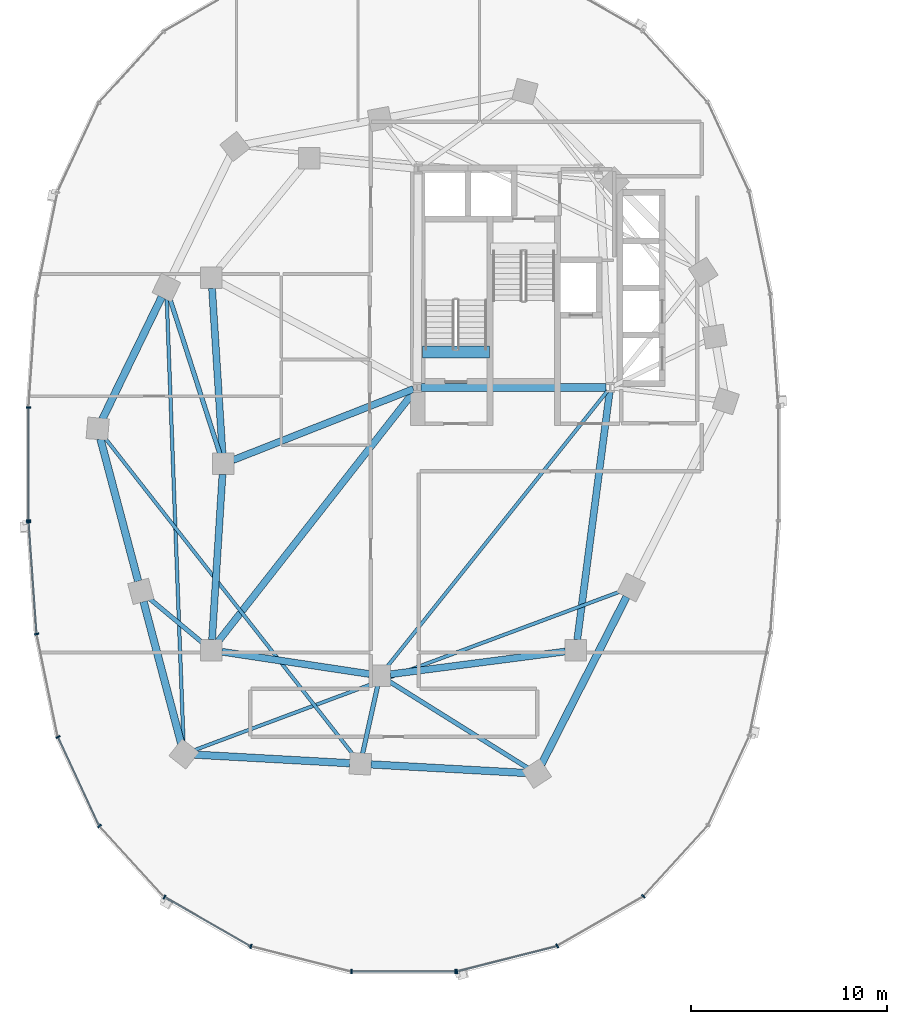
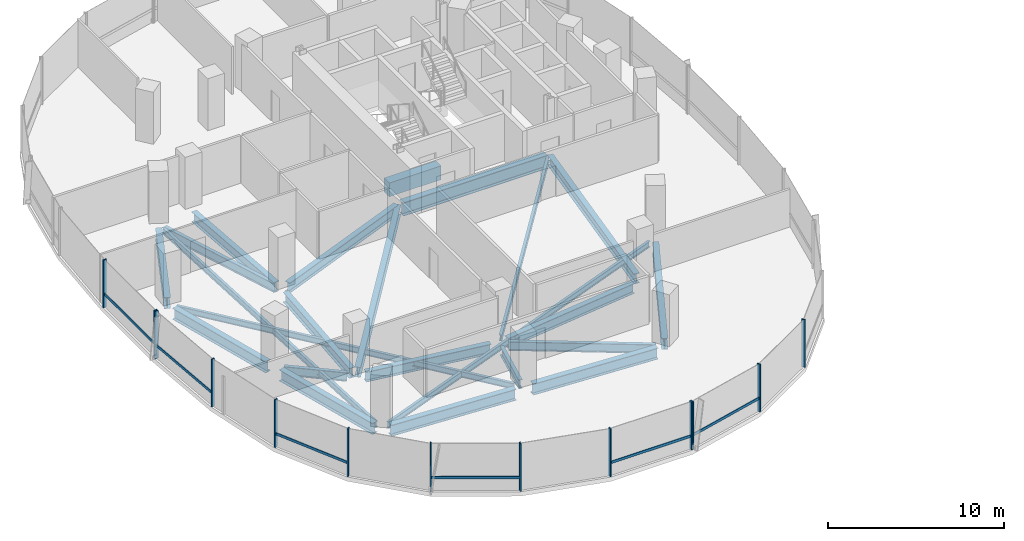
# One storey, part 2 of 21: 23 beams, 19 members, 3 elements without a shape of their own.
"""IFC4 building model written with IfcOpenShell, lengths in metres."""

from ifc_helpers import new_model, si_unit, direction, frame, origin, origin_2d, place, context, subcontext, project, spatial, rectangle, i_section, extrude, material, material_profile, profile_set, type_object, element, aggregate, save


model = new_model("IFC4")

# Units and contexts
model_context = context("Model", 3, precision=1e-05, world=origin(), true_north=direction((0.0, 1.0)))
body_context = subcontext(model_context, "Body", "Model", "MODEL_VIEW")
ifc_project = project(units=[si_unit("LENGTHUNIT", "METRE"), si_unit("AREAUNIT", "SQUARE_METRE"), si_unit("VOLUMEUNIT", "CUBIC_METRE"), si_unit("PLANEANGLEUNIT", "RADIAN"), si_unit("MASSUNIT", "GRAM", prefix="KILO"), si_unit("THERMODYNAMICTEMPERATUREUNIT", "KELVIN"), si_unit("POWERUNIT", "WATT")], contexts=[model_context])

# Site, building, storey
site_placement = place(None, origin())
site = spatial("IfcSite", under=ifc_project, at=site_placement, CompositionType="ELEMENT")
building_placement = place(site_placement, origin())
building = spatial("IfcBuilding", under=site, at=building_placement, Name="Cundina Bronze Exchange", CompositionType="ELEMENT")
storey_placement = place(building_placement, frame((0.0, 0.0, 99.800048828125)))
storey = spatial("IfcBuildingStorey", under=building, at=storey_placement, Name="L25", CompositionType="ELEMENT", Elevation=99.800048828125)

# Beams
ifc_material_1 = material(Name="Concrete C60/75", Category="concrete")
ifc_material_profile_1 = material_profile(ifc_material_1, rectangle(XDim=0.60009765625, YDim=0.949951171875, at=origin_2d()), Name="RC600X950", Category="concrete")
ifc_profile_set_1 = profile_set([ifc_material_profile_1], Name="Concrete C60/75")
beam_type_1 = type_object("IfcBeamType", Name="BM-COUP-RC950", PredefinedType="LINTEL", material=ifc_profile_set_1)
beam_1_placement = place(storey_placement, frame((-31.02001953125, 5.719970703125, -0.47509765625), z_axis=(1.0, 0.0, 0.0), x_axis=(0.0, 1.0, 0.0)))
element("IfcBeam", 1, at=beam_1_placement, inside=storey, type_object=beam_type_1, Name="L25 Stair W1 Landing Header Beam", PredefinedType="LINTEL", context=body_context, shape_type="SweptSolid", body=[
    extrude(rectangle(XDim=0.60009765625, YDim=0.949951171875, at=origin_2d()), origin(), (0.0, 0.0, 1.0), 3.39990234375),
])
ifc_material_2 = material(Name="Steel ASTM A992 Grade 50", Category="steel")
ifc_material_profile_2 = material_profile(ifc_material_2, i_section(OverallWidth=0.22998046875, OverallDepth=0.616943359375, WebThickness=0.01318359375, FlangeThickness=0.022216796875, FilletRadius=0.013916015625, at=origin_2d()), Name="W24X94", Category="steel")
ifc_profile_set_2 = profile_set([ifc_material_profile_2], Name="Steel ASTM A992 Grade 50")
beam_type_2 = type_object("IfcBeamType", Name="BM-FLR-W24B", PredefinedType="BEAM", material=ifc_profile_set_2)
beam_2_placement = place(storey_placement, frame((-41.364990234375, 0.51220703125, -0.608642578125), z_axis=(-0.306710777581, 0.951802762612, 0.0), x_axis=(-0.951802762612, -0.306710777581, 0.0)))
element("IfcBeam", 2, at=beam_2_placement, inside=storey, type_object=beam_type_2, Name="L25 Leg W Radial Floor Beam 07", PredefinedType="BEAM", context=body_context, shape_type="SweptSolid", body=[
    extrude(i_section(OverallWidth=0.22998046875, OverallDepth=0.616943359375, WebThickness=0.01318359375, FlangeThickness=0.022216796875, FilletRadius=0.013916015625, at=origin_2d()), origin(), (0.0, 0.0, 1.0), 8.37939453125),
])
beam_3_placement = place(storey_placement, frame((-42.21337890625, -9.155517578125, -0.608642578125), z_axis=(-0.768243451945, 0.640157791911, 0.0), x_axis=(-0.640157791911, -0.768243451945, 0.0)))
element("IfcBeam", 3, at=beam_3_placement, inside=storey, type_object=beam_type_2, Name="L25 Leg W Radial Floor Beam 09", PredefinedType="BEAM", context=body_context, shape_type="SweptSolid", body=[
    extrude(i_section(OverallWidth=0.22998046875, OverallDepth=0.616943359375, WebThickness=0.01318359375, FlangeThickness=0.022216796875, FilletRadius=0.013916015625, at=origin_2d()), origin(), (0.0, 0.0, 1.0), 3.610107421875),
])
beam_4_placement = place(storey_placement, frame((-33.316650390625, -11.3251953125, -0.608642578125), z_axis=(-0.216930457819, -0.976187060184, 0.0), x_axis=(0.976187060184, -0.216930457819, 0.0)))
element("IfcBeam", 4, at=beam_4_placement, inside=storey, type_object=beam_type_2, Name="L25 Leg W Radial Floor Beam 11", PredefinedType="BEAM", context=body_context, shape_type="SweptSolid", body=[
    extrude(i_section(OverallWidth=0.22998046875, OverallDepth=0.616943359375, WebThickness=0.01318359375, FlangeThickness=0.022216796875, FilletRadius=0.013916015625, at=origin_2d()), origin(), (0.0, 0.0, 1.0), 3.533935546875),
])
beam_5_placement = place(storey_placement, frame((-32.743896484375, -11.085205078125, -0.608642578125), z_axis=(0.848003227047, -0.529991063055, 0.0), x_axis=(0.529991063055, 0.848003227047, 0.0)))
element("IfcBeam", 5, at=beam_5_placement, inside=storey, type_object=beam_type_2, Name="L25 Leg W Radial Floor Beam 12", PredefinedType="BEAM", context=body_context, shape_type="SweptSolid", body=[
    extrude(i_section(OverallWidth=0.22998046875, OverallDepth=0.616943359375, WebThickness=0.01318359375, FlangeThickness=0.022216796875, FilletRadius=0.013916015625, at=origin_2d()), origin(), (0.0, 0.0, 1.0), 8.358154296875),
])
ifc_material_profile_3 = material_profile(ifc_material_2, i_section(OverallWidth=0.178955078125, OverallDepth=0.409912109375, WebThickness=0.0087890625, FlangeThickness=0.014404296875, FilletRadius=0.010986328125, at=origin_2d()), Name="W16X45", Category="steel")
ifc_profile_set_3 = profile_set([ifc_material_profile_3], Name="Steel ASTM A992 Grade 50")
beam_type_3 = type_object("IfcBeamType", Name="BM-JST-W16", PredefinedType="JOIST", material=ifc_profile_set_3)
beam_6_placement = place(storey_placement, frame((-21.577392578125, 3.740478515625, -0.505126953125), z_axis=(-0.62436887964, -0.781129632095, 0.0), x_axis=(0.781129632095, -0.62436887964, 0.0)))
element("IfcBeam", 6, at=beam_6_placement, inside=storey, type_object=beam_type_3, Name="L25 W Interior Core-to-Ring Joist 2", PredefinedType="JOIST", context=body_context, shape_type="SweptSolid", body=[
    extrude(i_section(OverallWidth=0.178955078125, OverallDepth=0.409912109375, WebThickness=0.0087890625, FlangeThickness=0.014404296875, FilletRadius=0.010986328125, at=origin_2d()), origin(), (0.0, 0.0, 1.0), 18.076904296875),
])
beam_7_placement = place(storey_placement, frame((-44.07958984375, 8.46240234375, -0.505126953125), z_axis=(0.03778951385, -0.999285721224, 0.0), x_axis=(0.999285721224, 0.03778951385, 0.0)))
element("IfcBeam", 7, at=beam_7_placement, inside=storey, type_object=beam_type_3, Name="L25 Leg W Lobe Floor Joist 07-10", PredefinedType="JOIST", context=body_context, shape_type="SweptSolid", body=[
    extrude(i_section(OverallWidth=0.178955078125, OverallDepth=0.409912109375, WebThickness=0.0087890625, FlangeThickness=0.014404296875, FilletRadius=0.010986328125, at=origin_2d()), origin(), (0.0, 0.0, 1.0), 22.7412109375),
])
beam_8_placement = place(storey_placement, frame((-47.268310546875, 1.37646484375, -0.505126953125), z_axis=(0.616815348306, -0.787107887201, 0.0), x_axis=(0.787107887201, 0.616815348306, 0.0)))
element("IfcBeam", 8, at=beam_8_placement, inside=storey, type_object=beam_type_3, Name="L25 Leg W Lobe Floor Joist 08-11", PredefinedType="JOIST", context=body_context, shape_type="SweptSolid", body=[
    extrude(i_section(OverallWidth=0.178955078125, OverallDepth=0.409912109375, WebThickness=0.0087890625, FlangeThickness=0.014404296875, FilletRadius=0.010986328125, at=origin_2d()), origin(), (0.0, 0.0, 1.0), 20.64892578125),
])
beam_9_placement = place(storey_placement, frame((-42.69580078125, -14.6123046875, -0.505126953125), z_axis=(0.937127917421, 0.348986054721, 0.0), x_axis=(-0.348986054721, 0.937127917421, 0.0)))
element("IfcBeam", 9, at=beam_9_placement, inside=storey, type_object=beam_type_3, Name="L25 Leg W Lobe Floor Joist 10-13", PredefinedType="JOIST", context=body_context, shape_type="SweptSolid", body=[
    extrude(i_section(OverallWidth=0.178955078125, OverallDepth=0.409912109375, WebThickness=0.0087890625, FlangeThickness=0.014404296875, FilletRadius=0.010986328125, at=origin_2d()), origin(), (0.0, 0.0, 1.0), 23.2802734375),
])
ifc_material_profile_4 = material_profile(ifc_material_2, i_section(OverallWidth=0.35498046875, OverallDepth=0.695068359375, WebThickness=0.015380859375, FlangeThickness=0.02490234375, FilletRadius=0.01806640625, at=origin_2d()), Name="W27X146", Category="steel")
ifc_profile_set_4 = profile_set([ifc_material_profile_4], Name="Steel ASTM A992 Grade 50")
beam_type_4 = type_object("IfcBeamType", Name="BM-RING-W27", PredefinedType="USERDEFINED", material=ifc_profile_set_4)
for number, where, z_axis, x_axis, name in (
    (10, (-41.76611328125, 8.963134765625, -0.6474609375), (0.06303715519, -0.998011180832, 0.0), (0.998011180832, 0.06303715519, 0.0), "L25 W Inner Structural Ring Girder 03"),
    (11, (-41.23388671875, -0.536865234375, -0.6474609375), (-0.06303715519, -0.998011180832, 0.0), (0.998011180832, -0.06303715519, 0.0), "L25 W Inner Structural Ring Girder 04"),
):
    element("IfcBeam", number, at=place(storey_placement, frame(where, z_axis=z_axis, x_axis=x_axis)), inside=storey, type_object=beam_type_4, Name=name, ObjectType="GIRDER", PredefinedType="USERDEFINED", context=body_context, shape_type="SweptSolid", body=[
        extrude(i_section(OverallWidth=0.35498046875, OverallDepth=0.695068359375, WebThickness=0.015380859375, FlangeThickness=0.02490234375, FilletRadius=0.01806640625, at=origin_2d()), origin(), (0.0, 0.0, 1.0), 8.443115234375),
    ])
beam_10_placement = place(storey_placement, frame((-41.26806640625, -9.580322265625, -0.6474609375), z_axis=(0.988767489563, -0.149461873341, 0.0), x_axis=(0.149461873341, 0.988767489563, 0.0)))
element("IfcBeam", 12, at=beam_10_placement, inside=storey, type_object=beam_type_4, Name="L25 W Inner Structural Ring Girder 05", ObjectType="GIRDER", PredefinedType="USERDEFINED", context=body_context, shape_type="SweptSolid", body=[
    extrude(i_section(OverallWidth=0.35498046875, OverallDepth=0.695068359375, WebThickness=0.015380859375, FlangeThickness=0.02490234375, FilletRadius=0.01806640625, at=origin_2d()), origin(), (0.0, 0.0, 1.0), 7.621826171875),
])
beam_11_placement = place(storey_placement, frame((-32.66650390625, -10.730712890625, -0.6474609375), z_axis=(0.991654577907, 0.128923225666, 0.0), x_axis=(-0.128923225666, 0.991654577907, 0.0)))
element("IfcBeam", 13, at=beam_11_placement, inside=storey, type_object=beam_type_4, Name="L25 W Inner Structural Ring Girder 06", ObjectType="GIRDER", PredefinedType="USERDEFINED", context=body_context, shape_type="SweptSolid", body=[
    extrude(i_section(OverallWidth=0.35498046875, OverallDepth=0.695068359375, WebThickness=0.015380859375, FlangeThickness=0.02490234375, FilletRadius=0.01806640625, at=origin_2d()), origin(), (0.0, 0.0, 1.0), 9.00830078125),
])
beam_12_placement = place(storey_placement, frame((-23.13037109375, -8.966552734375, -0.6474609375), z_axis=(0.129507526533, 0.99157843894, 0.0), x_axis=(-0.99157843894, 0.129507526533, 0.0)))
element("IfcBeam", 14, at=beam_12_placement, inside=storey, type_object=beam_type_4, Name="L25 W Inner Structural Ring Girder 07", ObjectType="GIRDER", PredefinedType="USERDEFINED", context=body_context, shape_type="SweptSolid", body=[
    extrude(i_section(OverallWidth=0.35498046875, OverallDepth=0.695068359375, WebThickness=0.015380859375, FlangeThickness=0.02490234375, FilletRadius=0.01806640625, at=origin_2d()), origin(), (0.0, 0.0, 1.0), 12.77197265625),
])
beam_13_placement = place(storey_placement, frame((-31.48974609375, 3.8251953125, -0.6474609375), z_axis=(-0.930413235418, -0.366512225388, 0.0), x_axis=(0.366512225388, -0.930413235418, 0.0)))
element("IfcBeam", 15, at=beam_13_placement, inside=storey, type_object=beam_type_4, Name="L25 W Core-to-Waist Tie Beam 1", ObjectType="GIRDER", PredefinedType="USERDEFINED", context=body_context, shape_type="SweptSolid", body=[
    extrude(i_section(OverallWidth=0.35498046875, OverallDepth=0.695068359375, WebThickness=0.015380859375, FlangeThickness=0.02490234375, FilletRadius=0.01806640625, at=origin_2d()), origin(), (0.0, 0.0, 1.0), 9.8984375),
])
beam_14_placement = place(storey_placement, frame((-31.42578125, 3.739501953125, -0.6474609375), z_axis=(-0.616789275748, -0.787128318206, 0.0), x_axis=(0.787128318206, -0.616789275748, 0.0)))
element("IfcBeam", 16, at=beam_14_placement, inside=storey, type_object=beam_type_4, Name="L25 W Core-to-Waist Tie Beam 3", ObjectType="GIRDER", PredefinedType="USERDEFINED", context=body_context, shape_type="SweptSolid", body=[
    extrude(i_section(OverallWidth=0.35498046875, OverallDepth=0.695068359375, WebThickness=0.015380859375, FlangeThickness=0.02490234375, FilletRadius=0.01806640625, at=origin_2d()), origin(), (0.0, 0.0, 1.0), 16.281982421875),
])
ifc_material_profile_5 = material_profile(ifc_material_2, i_section(OverallWidth=0.381103515625, OverallDepth=0.77294921875, WebThickness=0.0166015625, FlangeThickness=0.027099609375, FilletRadius=0.01904296875, at=origin_2d()), Name="W30X173", Category="steel")
ifc_profile_set_5 = profile_set([ifc_material_profile_5], Name="Steel ASTM A992 Grade 50")
beam_type_5 = type_object("IfcBeamType", Name="BM-RING-W30", PredefinedType="USERDEFINED", material=ifc_profile_set_5)
beam_15_placement = place(storey_placement, frame((-44.335205078125, 8.51611328125, -0.6865234375), z_axis=(-0.437193894283, -0.899367276924, 0.0), x_axis=(0.899367276924, -0.437193894283, 0.0)))
element("IfcBeam", 17, at=beam_15_placement, inside=storey, type_object=beam_type_5, Name="L25 W Perimeter Ring Girder 07", ObjectType="GIRDER", PredefinedType="USERDEFINED", context=body_context, shape_type="SweptSolid", body=[
    extrude(i_section(OverallWidth=0.381103515625, OverallDepth=0.77294921875, WebThickness=0.0166015625, FlangeThickness=0.027099609375, FilletRadius=0.01904296875, at=origin_2d()), origin(), (0.0, 0.0, 1.0), 6.929443359375),
])
for number, where, z_axis, x_axis, name in (
    (18, (-47.462158203125, 1.280029296875, -0.6865234375), (0.256209719931, -0.966621218168, 0.0), (0.966621218168, 0.256209719931, 0.0), "L25 W Perimeter Ring Girder 08"),
    (19, (-45.26220703125, -7.02001953125, -0.6865234375), (0.256209719931, -0.966621218168, 0.0), (0.966621218168, 0.256209719931, 0.0), "L25 W Perimeter Ring Girder 09"),
):
    element("IfcBeam", number, at=place(storey_placement, frame(where, z_axis=z_axis, x_axis=x_axis)), inside=storey, type_object=beam_type_5, Name=name, ObjectType="GIRDER", PredefinedType="USERDEFINED", context=body_context, shape_type="SweptSolid", body=[
        extrude(i_section(OverallWidth=0.381103515625, OverallDepth=0.77294921875, WebThickness=0.0166015625, FlangeThickness=0.027099609375, FilletRadius=0.01904296875, at=origin_2d()), origin(), (0.0, 0.0, 1.0), 7.5107421875),
    ])
for number, where, z_axis, x_axis, name in (
    (20, (-42.662841796875, -14.829833984375, -0.6865234375), (0.99845950136, -0.055485350721, 0.0), (0.055485350721, 0.99845950136, 0.0), "L25 W Perimeter Ring Girder 10"),
    (21, (-33.662841796875, -15.329833984375, -0.6865234375), (0.99845950136, -0.055485350721, 0.0), (0.055485350721, 0.99845950136, 0.0), "L25 W Perimeter Ring Girder 11"),
):
    element("IfcBeam", number, at=place(storey_placement, frame(where, z_axis=z_axis, x_axis=x_axis)), inside=storey, type_object=beam_type_5, Name=name, ObjectType="GIRDER", PredefinedType="USERDEFINED", context=body_context, shape_type="SweptSolid", body=[
        extrude(i_section(OverallWidth=0.381103515625, OverallDepth=0.77294921875, WebThickness=0.0166015625, FlangeThickness=0.027099609375, FilletRadius=0.01904296875, at=origin_2d()), origin(), (0.0, 0.0, 1.0), 7.937744140625),
    ])
beam_16_placement = place(storey_placement, frame((-24.956298828125, -15.3203125, -0.6865234375), z_axis=(0.452832332744, 0.891595692241, 0.0), x_axis=(-0.891595692241, 0.452832332744, 0.0)))
element("IfcBeam", 22, at=beam_16_placement, inside=storey, type_object=beam_type_5, Name="L25 W Perimeter Ring Girder 12", ObjectType="GIRDER", PredefinedType="USERDEFINED", context=body_context, shape_type="SweptSolid", body=[
    extrude(i_section(OverallWidth=0.381103515625, OverallDepth=0.77294921875, WebThickness=0.0166015625, FlangeThickness=0.027099609375, FilletRadius=0.01904296875, at=origin_2d()), origin(), (0.0, 0.0, 1.0), 9.578857421875),
])
ifc_material_profile_6 = material_profile(ifc_material_2, i_section(OverallWidth=0.41796875, OverallDepth=0.927001953125, WebThickness=0.019287109375, FlangeThickness=0.031982421875, FilletRadius=0.02392578125, at=origin_2d()), Name="W36X231", Category="steel")
ifc_profile_set_6 = profile_set([ifc_material_profile_6], Name="Steel ASTM A992 Grade 50")
beam_type_6 = type_object("IfcBeamType", Name="BM-WRN-W36B", PredefinedType="USERDEFINED", material=ifc_profile_set_6)
beam_17_placement = place(storey_placement, frame((-31.095947265625, 3.89990234375, -0.763427734375), z_axis=(1.0, 0.0, 0.0), x_axis=(0.0, 1.0, 0.0)))
element("IfcBeam", 23, at=beam_17_placement, inside=storey, type_object=beam_type_6, Name="L25 W Core Perimeter Tie Girder 1", ObjectType="GIRDER", PredefinedType="USERDEFINED", context=body_context, shape_type="SweptSolid", body=[
    extrude(i_section(OverallWidth=0.41796875, OverallDepth=0.927001953125, WebThickness=0.019287109375, FlangeThickness=0.031982421875, FilletRadius=0.02392578125, at=origin_2d()), origin(), (0.0, 0.0, 1.0), 9.44189453125),
])

# Curtain wall, members
ifc_material_3 = material(Name="Anodised Bronze Aluminium 6063-T6", Category="aluminium")
curtain_wall_type = type_object("IfcCurtainWallType", Name="CWS-TRD-MID", PredefinedType="NOTDEFINED", material=ifc_material_3)
curtain_wall_1_placement = place(storey_placement, origin())
curtain_wall_1 = element("IfcCurtainWall", 24, at=curtain_wall_1_placement, inside=storey, type_object=curtain_wall_type, Name="L25 CW-03 Curtain Wall Run CWR-L25-W2", PredefinedType="NOTDEFINED")
ifc_material_profile_7 = material_profile(ifc_material_3, rectangle(XDim=0.074951171875, YDim=0.219970703125, at=origin_2d()), Name="AL75X220", Category="aluminium")
ifc_profile_set_7 = profile_set([ifc_material_profile_7], Name="Anodised Bronze Aluminium 6063-T6")
member_type_1 = type_object("IfcMemberType", Name="CWM-MUL-220", PredefinedType="MULLION", material=ifc_profile_set_7)
member_1_placement = place(storey_placement, frame((-51.1279296875, 2.880615234375, 0.0), z_axis=(0.0, 0.0, 1.0), x_axis=(0.0, -1.0, 0.0)))
member_1 = element("IfcMember", 25, at=member_1_placement, type_object=member_type_1, Name="CW-03 Mullion 7", PredefinedType="MULLION", context=body_context, shape_type="SweptSolid", body=[
    extrude(rectangle(XDim=0.074951171875, YDim=0.219970703125, at=origin_2d()), origin(), (0.0, 0.0, 1.0), 3.300048828125),
])
member_2_placement = place(storey_placement, frame((-51.1279296875, -2.880615234375, 0.0), z_axis=(0.0, 0.0, 1.0), x_axis=(0.0, -1.0, 0.0)))
member_2 = element("IfcMember", 26, at=member_2_placement, type_object=member_type_1, Name="CW-03 End Mullion", PredefinedType="MULLION", context=body_context, shape_type="SweptSolid", body=[
    extrude(rectangle(XDim=0.074951171875, YDim=0.219970703125, at=origin_2d()), origin(), (0.0, 0.0, 1.0), 3.300048828125),
])

curtain_wall_2_placement = place(storey_placement, origin())
curtain_wall_2 = element("IfcCurtainWall", 27, at=curtain_wall_2_placement, inside=storey, type_object=curtain_wall_type, Name="L25 CW-03 Curtain Wall Run CWR-L25-W3", PredefinedType="NOTDEFINED")
member_3_placement = place(storey_placement, frame((-51.12451171875, -2.976318359375, 0.0), z_axis=(0.0, 0.0, 1.0), x_axis=(0.070278787473, -0.997527389113, 0.0)))
member_3 = element("IfcMember", 28, at=member_3_placement, type_object=member_type_1, Name="CW-03 Mullion 1", PredefinedType="MULLION", context=body_context, shape_type="SweptSolid", body=[
    extrude(rectangle(XDim=0.074951171875, YDim=0.219970703125, at=origin_2d()), origin(), (0.0, 0.0, 1.0), 3.300048828125),
])
member_4_placement = place(storey_placement, frame((-50.717041015625, -8.67822265625, 0.0), z_axis=(0.0, 0.0, 1.0), x_axis=(0.201419845156, -0.979505000486, 0.0)))
member_4 = element("IfcMember", 29, at=member_4_placement, type_object=member_type_1, Name="CW-03 Mullion 2", PredefinedType="MULLION", context=body_context, shape_type="SweptSolid", body=[
    extrude(rectangle(XDim=0.074951171875, YDim=0.219970703125, at=origin_2d()), origin(), (0.0, 0.0, 1.0), 3.300048828125),
])
member_5_placement = place(storey_placement, frame((-49.6279296875, -13.931884765625, 0.0), z_axis=(0.0, 0.0, 1.0), x_axis=(0.42087749791, -0.907117485088, 0.0)))
member_5 = element("IfcMember", 30, at=member_5_placement, type_object=member_type_1, Name="CW-03 Mullion 3", PredefinedType="MULLION", context=body_context, shape_type="SweptSolid", body=[
    extrude(rectangle(XDim=0.074951171875, YDim=0.219970703125, at=origin_2d()), origin(), (0.0, 0.0, 1.0), 3.300048828125),
])
member_6_placement = place(storey_placement, frame((-47.508544921875, -18.47705078125, 0.0), z_axis=(0.0, 0.0, 1.0), x_axis=(0.674302387584, -0.738455340626, 0.0)))
member_6 = element("IfcMember", 31, at=member_6_placement, type_object=member_type_1, Name="CW-03 Mullion 4", PredefinedType="MULLION", context=body_context, shape_type="SweptSolid", body=[
    extrude(rectangle(XDim=0.074951171875, YDim=0.219970703125, at=origin_2d()), origin(), (0.0, 0.0, 1.0), 3.300048828125),
])
member_7_placement = place(storey_placement, frame((-44.189697265625, -22.097412109375, 0.0), z_axis=(0.0, 0.0, 1.0), x_axis=(0.867070701164, -0.498185105339, 0.0)))
member_7 = element("IfcMember", 32, at=member_7_placement, type_object=member_type_1, Name="CW-03 Mullion 5", PredefinedType="MULLION", context=body_context, shape_type="SweptSolid", body=[
    extrude(rectangle(XDim=0.074951171875, YDim=0.219970703125, at=origin_2d()), origin(), (0.0, 0.0, 1.0), 3.300048828125),
])
member_8_placement = place(storey_placement, frame((-39.78515625, -24.61669921875, 0.0), z_axis=(0.0, 0.0, 1.0), x_axis=(0.969488149345, -0.245138182011, 0.0)))
member_8 = element("IfcMember", 33, at=member_8_placement, type_object=member_type_1, Name="CW-03 Mullion 6", PredefinedType="MULLION", context=body_context, shape_type="SweptSolid", body=[
    extrude(rectangle(XDim=0.074951171875, YDim=0.219970703125, at=origin_2d()), origin(), (0.0, 0.0, 1.0), 3.300048828125),
])
member_9_placement = place(storey_placement, frame((-34.654541015625, -25.905029296875, 0.0), z_axis=(0.0, 0.0, 1.0), x_axis=(1.0, 0.0, 0.0)))
member_9 = element("IfcMember", 34, at=member_9_placement, type_object=member_type_1, Name="CW-03 Mullion 7", PredefinedType="MULLION", context=body_context, shape_type="SweptSolid", body=[
    extrude(rectangle(XDim=0.074951171875, YDim=0.219970703125, at=origin_2d()), origin(), (0.0, 0.0, 1.0), 3.300048828125),
])
member_10_placement = place(storey_placement, frame((-29.345458984375, -25.905029296875, 0.0), z_axis=(0.0, 0.0, 1.0), x_axis=(1.0, 0.0, 0.0)))
member_10 = element("IfcMember", 35, at=member_10_placement, type_object=member_type_1, Name="CW-03 End Mullion", PredefinedType="MULLION", context=body_context, shape_type="SweptSolid", body=[
    extrude(rectangle(XDim=0.074951171875, YDim=0.219970703125, at=origin_2d()), origin(), (0.0, 0.0, 1.0), 3.300048828125),
])

curtain_wall_3_placement = place(storey_placement, origin())
curtain_wall_3 = element("IfcCurtainWall", 36, at=curtain_wall_3_placement, inside=storey, type_object=curtain_wall_type, Name="L25 CW-03 Curtain Wall Run CWR-L25-W4", PredefinedType="NOTDEFINED")
member_11_placement = place(storey_placement, frame((-29.27392578125, -25.89599609375, 0.0), z_axis=(0.0, 0.0, 1.0), x_axis=(0.969488149345, 0.245138182011, 0.0)))
member_11 = element("IfcMember", 37, at=member_11_placement, type_object=member_type_1, Name="CW-03 Mullion 1", PredefinedType="MULLION", context=body_context, shape_type="SweptSolid", body=[
    extrude(rectangle(XDim=0.074951171875, YDim=0.219970703125, at=origin_2d()), origin(), (0.0, 0.0, 1.0), 3.300048828125),
])
member_12_placement = place(storey_placement, frame((-24.151123046875, -24.591064453125, 0.0), z_axis=(0.0, 0.0, 1.0), x_axis=(0.867070701164, 0.498185105339, 0.0)))
member_12 = element("IfcMember", 38, at=member_12_placement, type_object=member_type_1, Name="CW-03 Mullion 2", PredefinedType="MULLION", context=body_context, shape_type="SweptSolid", body=[
    extrude(rectangle(XDim=0.074951171875, YDim=0.219970703125, at=origin_2d()), origin(), (0.0, 0.0, 1.0), 3.300048828125),
])
member_13_placement = place(storey_placement, frame((-19.760498046875, -22.0576171875, 0.0), z_axis=(0.0, 0.0, 1.0), x_axis=(0.674302387584, 0.738455340626, 0.0)))
member_13 = element("IfcMember", 39, at=member_13_placement, type_object=member_type_1, Name="CW-03 Mullion 3", PredefinedType="MULLION", context=body_context, shape_type="SweptSolid", body=[
    extrude(rectangle(XDim=0.074951171875, YDim=0.219970703125, at=origin_2d()), origin(), (0.0, 0.0, 1.0), 3.300048828125),
])

# Member
ifc_material_profile_8 = material_profile(ifc_material_3, rectangle(XDim=0.070068359375, YDim=0.179931640625, at=origin_2d()), Name="AL70X180", Category="aluminium")
ifc_profile_set_8 = profile_set([ifc_material_profile_8], Name="Anodised Bronze Aluminium 6063-T6")
member_type_2 = type_object("IfcMemberType", Name="CWM-TRN-180", PredefinedType="USERDEFINED", material=ifc_profile_set_8)
member_14_placement = place(storey_placement, frame((-51.1279296875, 2.839111328125, 0.919921875), z_axis=(0.0, -1.0, 0.0), x_axis=(1.0, 0.0, 0.0)))
member_14 = element("IfcMember", 40, at=member_14_placement, type_object=member_type_2, Name="CW-03 Spandrel Transom 7", ObjectType="TRANSOM", PredefinedType="USERDEFINED", context=body_context, shape_type="SweptSolid", body=[
    extrude(rectangle(XDim=0.070068359375, YDim=0.179931640625, at=origin_2d()), origin(), (0.0, 0.0, 1.0), 5.67822265625),
])

aggregate(curtain_wall_1, [member_1, member_2, member_14])

member_15_placement = place(storey_placement, frame((-51.12158203125, -3.017333984375, 0.919921875), z_axis=(0.070260714471, -0.997528662246, 0.0), x_axis=(0.997528662246, 0.070260714471, 0.0)))
member_15 = element("IfcMember", 41, at=member_15_placement, type_object=member_type_2, Name="CW-03 Spandrel Transom 1", ObjectType="TRANSOM", PredefinedType="USERDEFINED", context=body_context, shape_type="SweptSolid", body=[
    extrude(rectangle(XDim=0.070068359375, YDim=0.179931640625, at=origin_2d()), origin(), (0.0, 0.0, 1.0), 5.629150390625),
])

member_16_placement = place(storey_placement, frame((-49.610595703125, -13.96923828125, 0.919921875), z_axis=(0.420811422796, -0.907148139195, 0.0), x_axis=(0.907148139195, 0.420811422796, 0.0)))
member_16 = element("IfcMember", 42, at=member_16_placement, type_object=member_type_2, Name="CW-03 Spandrel Transom 3", ObjectType="TRANSOM", PredefinedType="USERDEFINED", context=body_context, shape_type="SweptSolid", body=[
    extrude(rectangle(XDim=0.070068359375, YDim=0.179931640625, at=origin_2d()), origin(), (0.0, 0.0, 1.0), 4.95166015625),
])

member_17_placement = place(storey_placement, frame((-44.154052734375, -22.117919921875, 0.919921875), z_axis=(0.867097475651, -0.498138502546, 0.0), x_axis=(0.498138502546, 0.867097475651, 0.0)))
member_17 = element("IfcMember", 43, at=member_17_placement, type_object=member_type_2, Name="CW-03 Spandrel Transom 5", ObjectType="TRANSOM", PredefinedType="USERDEFINED", context=body_context, shape_type="SweptSolid", body=[
    extrude(rectangle(XDim=0.070068359375, YDim=0.179931640625, at=origin_2d()), origin(), (0.0, 0.0, 1.0), 5.00634765625),
])

member_18_placement = place(storey_placement, frame((-34.61328125, -25.905029296875, 0.919921875), z_axis=(1.0, 0.0, 0.0), x_axis=(0.0, 1.0, 0.0)))
member_18 = element("IfcMember", 44, at=member_18_placement, type_object=member_type_2, Name="CW-03 Spandrel Transom 7", ObjectType="TRANSOM", PredefinedType="USERDEFINED", context=body_context, shape_type="SweptSolid", body=[
    extrude(rectangle(XDim=0.070068359375, YDim=0.179931640625, at=origin_2d()), origin(), (0.0, 0.0, 1.0), 5.2265625),
])

aggregate(curtain_wall_2, [member_3, member_15, member_4, member_5, member_16, member_6, member_7, member_17, member_8, member_9, member_10, member_18])

member_19_placement = place(storey_placement, frame((-29.23388671875, -25.885986328125, 0.919921875), z_axis=(0.969483968866, 0.245154714644, 0.0), x_axis=(-0.245154714644, 0.969483968866, 0.0)))
member_19 = element("IfcMember", 45, at=member_19_placement, type_object=member_type_2, Name="CW-03 Spandrel Transom 1", ObjectType="TRANSOM", PredefinedType="USERDEFINED", context=body_context, shape_type="SweptSolid", body=[
    extrude(rectangle(XDim=0.070068359375, YDim=0.179931640625, at=origin_2d()), origin(), (0.0, 0.0, 1.0), 5.21826171875),
])

aggregate(curtain_wall_3, [member_11, member_19, member_12, member_13])

save(model, "model.ifc")
